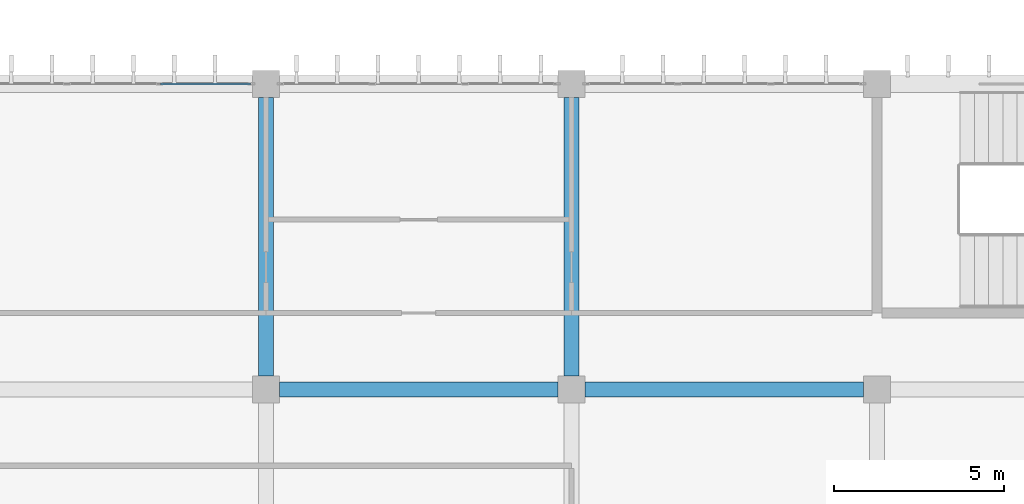
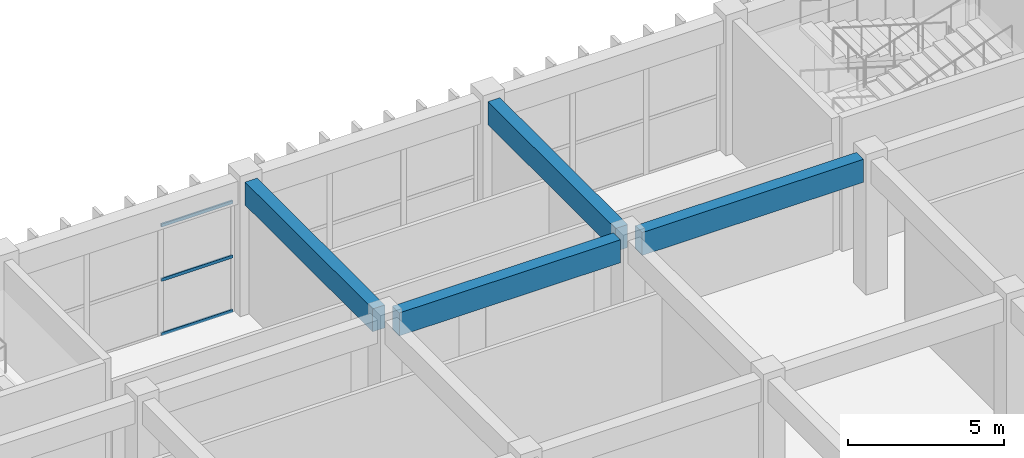
# One storey, part 80 of 185: 4 beams, 3 members, 1 element without a shape of its own.
"""IFC4 building model written with IfcOpenShell, lengths in metres."""

from ifc_helpers import new_model, si_unit, direction, frame, origin, origin_2d, place, context, subcontext, project, spatial, rectangle, hollow_rectangle, extrude, material, layer, layer_set, material_profile, profile_set, type_object, element, aggregate, save


model = new_model("IFC4")

# Units and contexts
model_context = context("Model", 3, precision=1e-05, world=origin(), true_north=direction((0.0, 1.0)))
body_context = subcontext(model_context, "Body", "Model", "MODEL_VIEW")
ifc_project = project(units=[si_unit("LENGTHUNIT", "METRE"), si_unit("AREAUNIT", "SQUARE_METRE"), si_unit("VOLUMEUNIT", "CUBIC_METRE"), si_unit("PLANEANGLEUNIT", "RADIAN"), si_unit("MASSUNIT", "GRAM", prefix="KILO")], contexts=[model_context])

# Site, building, storey
site_placement = place(None, origin())
site = spatial("IfcSite", under=ifc_project, at=site_placement, CompositionType="ELEMENT")
building_placement = place(site_placement, origin())
building = spatial("IfcBuilding", under=site, at=building_placement, Name="Opaline Strait Convention Centre", CompositionType="ELEMENT")
storey_placement = place(building_placement, frame((0.0, 0.0, 6.0)))
storey = spatial("IfcBuildingStorey", under=building, at=storey_placement, Name="L01", CompositionType="ELEMENT", Elevation=6.0)

# Curtain wall, members
ifc_material_1 = material(Name="Aluminium framed double glazing", Category="aluminium")
ifc_layer = layer(ifc_material_1, 0.199951171875)
ifc_layer_set = layer_set([ifc_layer], Name="Aluminium framed double glazing")
curtain_wall_type = type_object("IfcCurtainWallType", Name="Curtain wall 3000 module unitised", PredefinedType="NOTDEFINED", material=ifc_layer_set)
curtain_wall_placement = place(storey_placement, origin())
curtain_wall = element("IfcCurtainWall", 1, at=curtain_wall_placement, inside=storey, type_object=curtain_wall_type, Name="Curtain wall N L01 35/W", PredefinedType="NOTDEFINED")
ifc_material_2 = material(Name="Aluminium alloy 6063", Category="aluminium")
ifc_material_profile_1 = material_profile(ifc_material_2, hollow_rectangle(XDim=0.06005859375, YDim=0.1201171875, WallThickness=0.0029296875, at=origin_2d()), Name="TRANSOM 60x120x3")
ifc_profile_set_1 = profile_set([ifc_material_profile_1], Name="Aluminium alloy 6063")
member_type = type_object("IfcMemberType", Name="Curtain wall transom 60 x 120", PredefinedType="USERDEFINED", material=ifc_profile_set_1)
member_1_placement = place(storey_placement, frame((311.896728515625, 180.0, 0.030029296875), z_axis=(1.0, 0.0, 0.0), x_axis=(0.0, 1.0, 0.0)))
member_1 = element("IfcMember", 2, at=member_1_placement, type_object=member_type, Name="MCWR1 transom 3.1", ObjectType="TRANSOM", PredefinedType="USERDEFINED", context=body_context, shape_type="SweptSolid", body=[
    extrude(hollow_rectangle(XDim=0.06005859375, YDim=0.1201171875, WallThickness=0.0029296875, at=origin_2d()), origin(), (0.0, 0.0, 1.0), 2.643310546875),
])
member_2_placement = place(storey_placement, frame((311.896728515625, 180.0, 2.159912109375), z_axis=(1.0, 0.0, 0.0), x_axis=(0.0, 1.0, 0.0)))
member_2 = element("IfcMember", 3, at=member_2_placement, type_object=member_type, Name="MCWR1 transom 3.2", ObjectType="TRANSOM", PredefinedType="USERDEFINED", context=body_context, shape_type="SweptSolid", body=[
    extrude(hollow_rectangle(XDim=0.06005859375, YDim=0.1201171875, WallThickness=0.0029296875, at=origin_2d()), origin(), (0.0, 0.0, 1.0), 2.643310546875),
])
member_3_placement = place(storey_placement, frame((311.896728515625, 180.0, 4.2900390625), z_axis=(1.0, 0.0, 0.0), x_axis=(0.0, 1.0, 0.0)))
member_3 = element("IfcMember", 4, at=member_3_placement, type_object=member_type, Name="MCWR1 transom 3.3", ObjectType="TRANSOM", PredefinedType="USERDEFINED", context=body_context, shape_type="SweptSolid", body=[
    extrude(hollow_rectangle(XDim=0.06005859375, YDim=0.1201171875, WallThickness=0.0029296875, at=origin_2d()), origin(), (0.0, 0.0, 1.0), 2.643310546875),
])
aggregate(curtain_wall, [member_1, member_2, member_3])

# Beams
ifc_material_3 = material(Name="Concrete C35", Category="concrete")
ifc_material_profile_2 = material_profile(ifc_material_3, rectangle(XDim=0.449951171875, YDim=0.89990234375, at=origin_2d()), Name="RC 450x900")
ifc_profile_set_2 = profile_set([ifc_material_profile_2], Name="Concrete C35")
beam_type = type_object("IfcBeamType", Name="RC beam 450x900 C35", PredefinedType="BEAM", material=ifc_profile_set_2)
for number, where, z_axis, x_axis, name in (
    (5, (315.39990234375, 171.0, 4.77001953125), (1.0, 0.0, 0.0), (0.0, 1.0, 0.0), "XB1 L01 36/V-37/V"),
    (6, (324.39990234375, 171.0, 4.77001953125), (1.0, 0.0, 0.0), (0.0, 1.0, 0.0), "XB1 L01 37/V-38/V"),
    (7, (315.0, 171.39990234375, 4.77001953125), (0.0, 1.0, 0.0), (-1.0, 0.0, 0.0), "XB1 L01 36/V-36/W"),
    (8, (324.0, 171.39990234375, 4.77001953125), (0.0, 1.0, 0.0), (-1.0, 0.0, 0.0), "XB1 L01 37/V-37/W"),
):
    element("IfcBeam", number, at=place(storey_placement, frame(where, z_axis=z_axis, x_axis=x_axis)), inside=storey, type_object=beam_type, Name=name, PredefinedType="BEAM", context=body_context, shape_type="SweptSolid", body=[
        extrude(rectangle(XDim=0.449951171875, YDim=0.89990234375, at=origin_2d()), origin(), (0.0, 0.0, 1.0), 8.2001953125),
    ])

save(model, "model.ifc")
